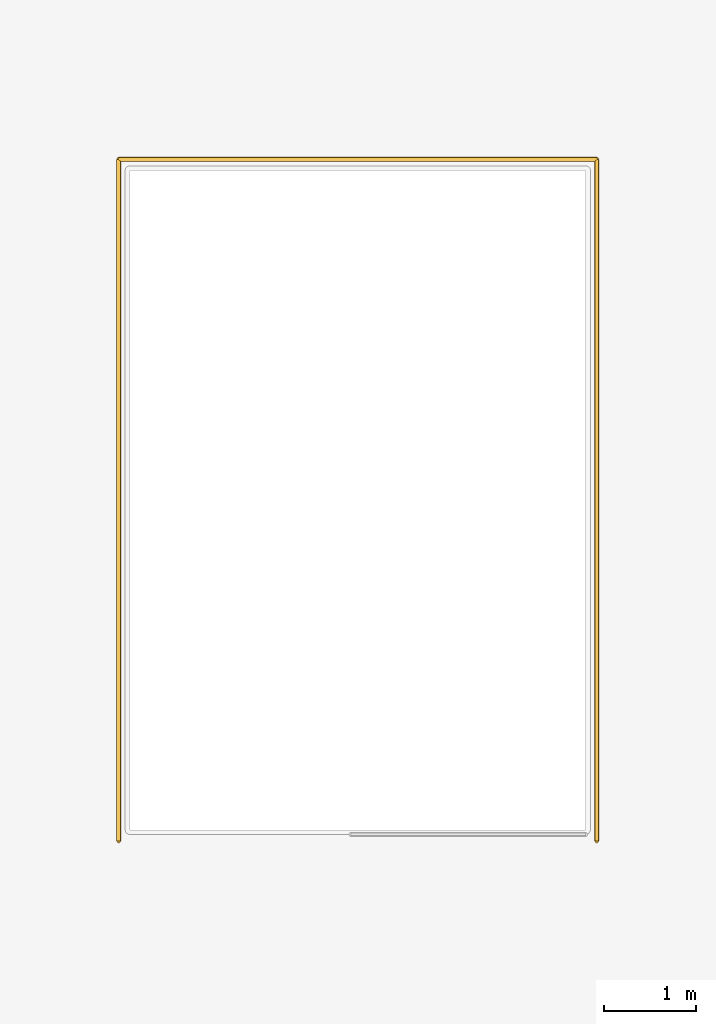
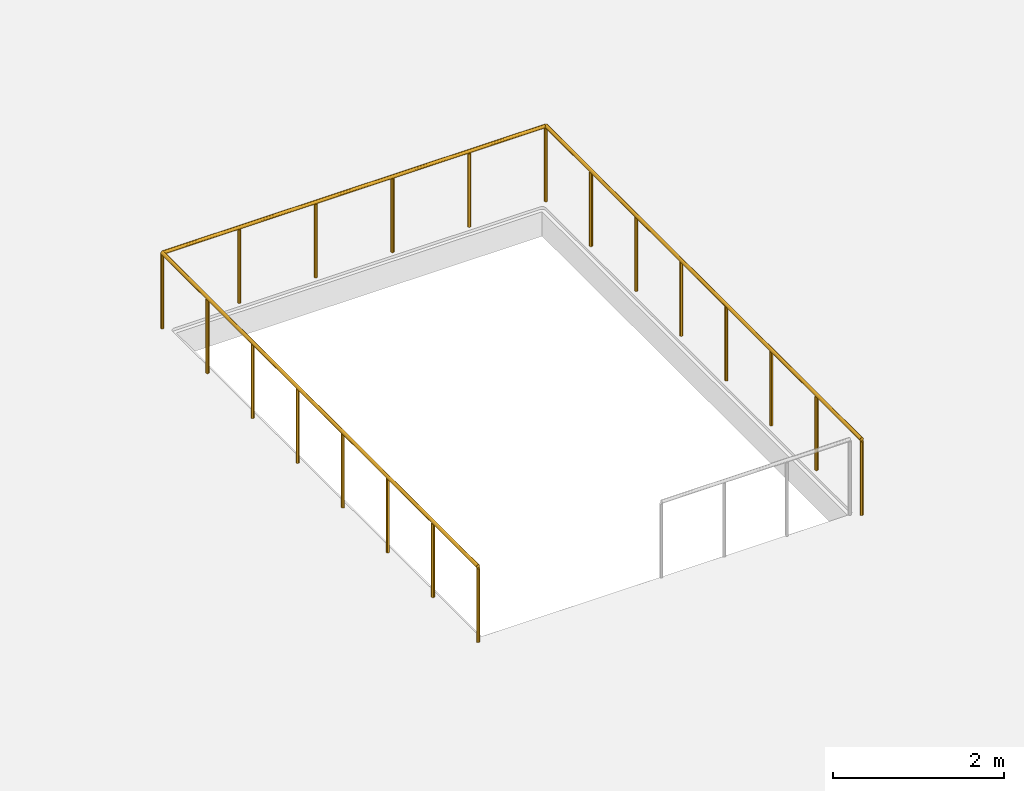
# One storey, part 27 of 27: 1 railing.
"""IFC4 building model written with IfcOpenShell, lengths in metres."""

from ifc_helpers import new_model, si_unit, direction, frame, origin, origin_2d, place, context, subcontext, project, spatial, circle, extrude, material, type_object, element, save


model = new_model("IFC4")

# Units and contexts
model_context = context("Model", 3, precision=1e-05, world=origin(), true_north=direction((0.0, 1.0)))
body_context = subcontext(model_context, "Body", "Model", "MODEL_VIEW")
ifc_project = project(units=[si_unit("LENGTHUNIT", "METRE"), si_unit("AREAUNIT", "SQUARE_METRE"), si_unit("VOLUMEUNIT", "CUBIC_METRE"), si_unit("PLANEANGLEUNIT", "RADIAN"), si_unit("MASSUNIT", "GRAM", prefix="KILO")], contexts=[model_context])

# Site, building, storey
site_placement = place(None, origin())
site = spatial("IfcSite", under=ifc_project, at=site_placement, CompositionType="ELEMENT")
building_placement = place(site_placement, origin())
building = spatial("IfcBuilding", under=site, at=building_placement, Name="Rubra Terraces Tower", CompositionType="ELEMENT")
storey_placement = place(building_placement, origin())
storey = spatial("IfcBuildingStorey", under=building, at=storey_placement, Name="L00", CompositionType="ELEMENT", Elevation=0.0)

# Railing
ifc_material = material(Name="Stainless steel", Category="steel")
railing_type = type_object("IfcRailingType", Name="Public stair guard 1100", PredefinedType="GUARDRAIL", material=ifc_material)
railing_placement = place(storey_placement, frame((27.570068359375, 23.280029296875, 0.0400390625)))
element("IfcRailing", 1, at=railing_placement, inside=storey, type_object=railing_type, Name="Guard at stair well", PredefinedType="GUARDRAIL", context=body_context, shape_type="SweptSolid", body=[
    extrude(circle(Radius=0.02392578125, at=origin_2d()), frame((0.0, 0.0, 1.076171875), z_axis=(0.0, 1.0, 0.0), x_axis=(-1.0, 0.0, 0.0)), (0.0, 0.0, 1.0), 7.39990234375),
    extrude(circle(Radius=0.02392578125, at=origin_2d()), frame((0.0, 7.39990234375, 1.076171875), z_axis=(-1.0, 0.0, 0.0), x_axis=(0.0, -1.0, 0.0)), (0.0, 0.0, 1.0), 5.190185546875),
    extrude(circle(Radius=0.02392578125, at=origin_2d()), frame((-5.190185546875, 7.39990234375, 1.076171875), z_axis=(0.0, -1.0, 0.0), x_axis=(1.0, 0.0, 0.0)), (0.0, 0.0, 1.0), 7.39990234375),
    extrude(circle(Radius=0.02099609375, at=origin_2d()), origin(), (0.0, 0.0, 1.0), 1.052001953125),
    extrude(circle(Radius=0.02099609375, at=origin_2d()), frame((0.0, 1.05712890625, 0.0)), (0.0, 0.0, 1.0), 1.052001953125),
    extrude(circle(Radius=0.02099609375, at=origin_2d()), frame((0.0, 2.1142578125, 0.0)), (0.0, 0.0, 1.0), 1.052001953125),
    extrude(circle(Radius=0.02099609375, at=origin_2d()), frame((0.0, 3.17138671875, 0.0)), (0.0, 0.0, 1.0), 1.052001953125),
    extrude(circle(Radius=0.02099609375, at=origin_2d()), frame((0.0, 4.228515625, 0.0)), (0.0, 0.0, 1.0), 1.052001953125),
    extrude(circle(Radius=0.02099609375, at=origin_2d()), frame((0.0, 5.28564453125, 0.0)), (0.0, 0.0, 1.0), 1.052001953125),
    extrude(circle(Radius=0.02099609375, at=origin_2d()), frame((0.0, 6.3427734375, 0.0)), (0.0, 0.0, 1.0), 1.052001953125),
    extrude(circle(Radius=0.02099609375, at=origin_2d()), frame((0.0, 7.39990234375, 0.0)), (0.0, 0.0, 1.0), 1.052001953125),
    extrude(circle(Radius=0.02099609375, at=origin_2d()), frame((-1.0380859375, 7.39990234375, 0.0)), (0.0, 0.0, 1.0), 1.052001953125),
    extrude(circle(Radius=0.02099609375, at=origin_2d()), frame((-2.076171875, 7.39990234375, 0.0)), (0.0, 0.0, 1.0), 1.052001953125),
    extrude(circle(Radius=0.02099609375, at=origin_2d()), frame((-3.114013671875, 7.39990234375, 0.0)), (0.0, 0.0, 1.0), 1.052001953125),
    extrude(circle(Radius=0.02099609375, at=origin_2d()), frame((-4.152099609375, 7.39990234375, 0.0)), (0.0, 0.0, 1.0), 1.052001953125),
    extrude(circle(Radius=0.02099609375, at=origin_2d()), frame((-5.190185546875, 7.39990234375, 0.0)), (0.0, 0.0, 1.0), 1.052001953125),
    extrude(circle(Radius=0.02099609375, at=origin_2d()), frame((-5.190185546875, 6.3427734375, 0.0)), (0.0, 0.0, 1.0), 1.052001953125),
    extrude(circle(Radius=0.02099609375, at=origin_2d()), frame((-5.190185546875, 5.28564453125, 0.0)), (0.0, 0.0, 1.0), 1.052001953125),
    extrude(circle(Radius=0.02099609375, at=origin_2d()), frame((-5.190185546875, 4.228515625, 0.0)), (0.0, 0.0, 1.0), 1.052001953125),
    extrude(circle(Radius=0.02099609375, at=origin_2d()), frame((-5.190185546875, 3.17138671875, 0.0)), (0.0, 0.0, 1.0), 1.052001953125),
    extrude(circle(Radius=0.02099609375, at=origin_2d()), frame((-5.190185546875, 2.1142578125, 0.0)), (0.0, 0.0, 1.0), 1.052001953125),
    extrude(circle(Radius=0.02099609375, at=origin_2d()), frame((-5.190185546875, 1.05712890625, 0.0)), (0.0, 0.0, 1.0), 1.052001953125),
    extrude(circle(Radius=0.02099609375, at=origin_2d()), frame((-5.190185546875, 0.0, 0.0)), (0.0, 0.0, 1.0), 1.052001953125),
])

save(model, "model.ifc")
